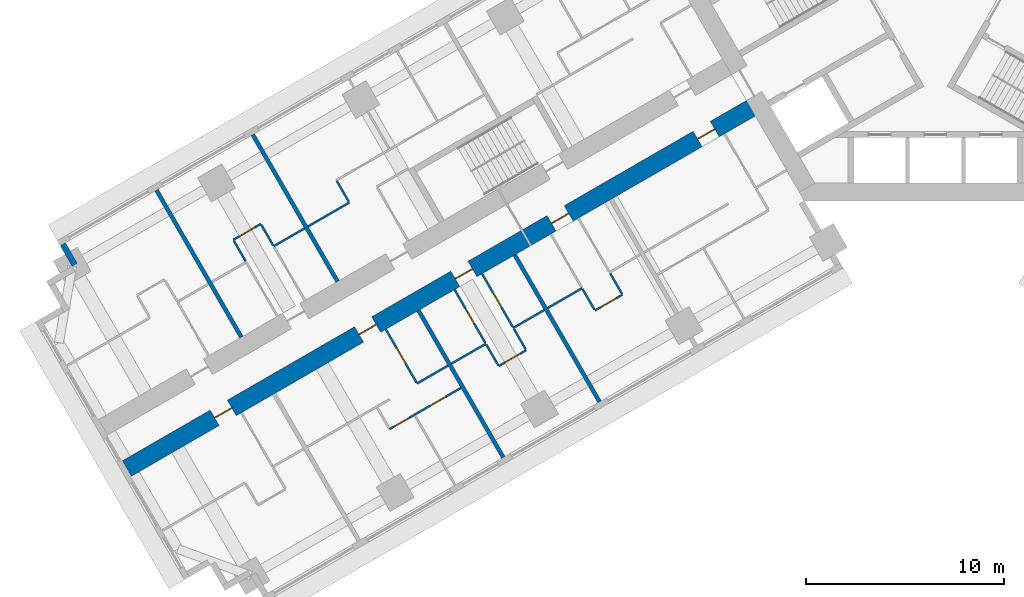
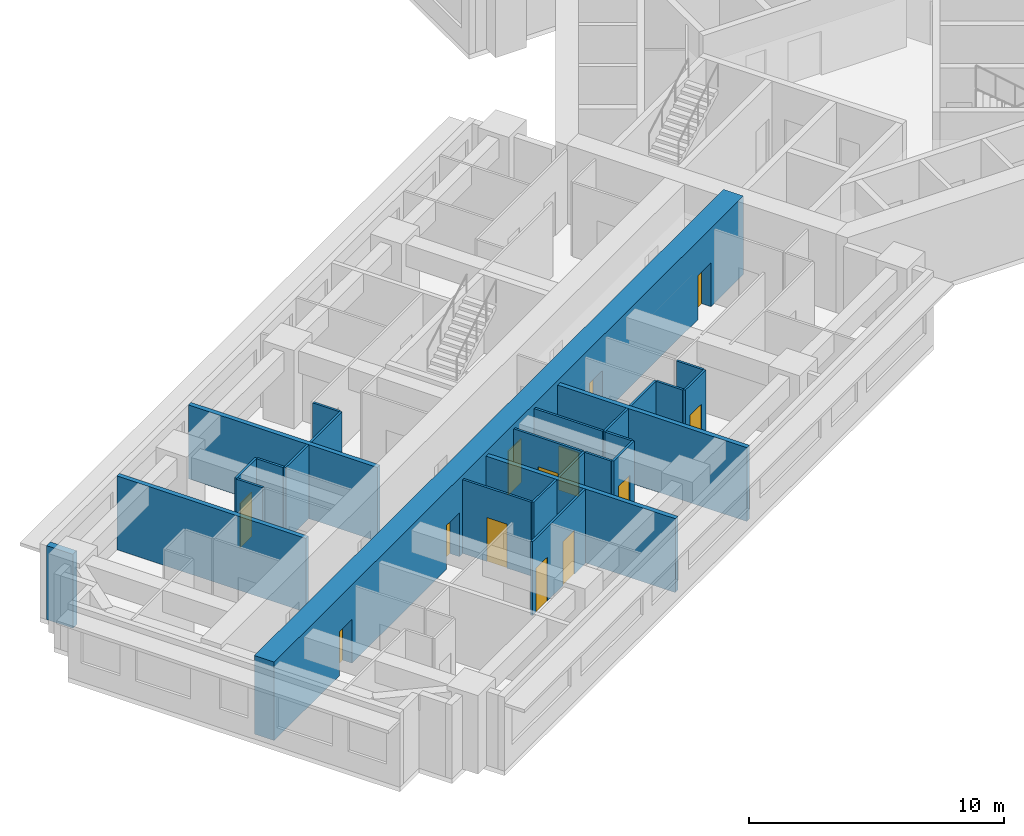
# One storey, part 4 of 16: 26 walls, 13 doors, 13 openings.
"""IFC4 building model written with IfcOpenShell, lengths in metres."""

from ifc_helpers import new_model, si_unit, direction, frame, frame_2d, origin, place, context, subcontext, project, spatial, rectangle, extrude, material, layer, layer_set, type_object, element, fill, save


model = new_model("IFC4")

# Units and contexts
model_context = context("Model", 3, precision=1e-05, world=origin(), true_north=direction((0.0, 1.0)))
body_context = subcontext(model_context, "Body", "Model", "MODEL_VIEW")
ifc_project = project(units=[si_unit("LENGTHUNIT", "METRE"), si_unit("AREAUNIT", "SQUARE_METRE"), si_unit("VOLUMEUNIT", "CUBIC_METRE"), si_unit("PLANEANGLEUNIT", "RADIAN"), si_unit("MASSUNIT", "GRAM", prefix="KILO")], contexts=[model_context])

# Site, building, storey
site_placement = place(None, origin())
site = spatial("IfcSite", under=ifc_project, at=site_placement, CompositionType="ELEMENT")
building_placement = place(site_placement, origin())
building = spatial("IfcBuilding", under=site, at=building_placement, Name="Impinga Residences", CompositionType="ELEMENT")
storey_placement = place(building_placement, frame((0.0, 0.0, 67.25)))
storey = spatial("IfcBuildingStorey", under=building, at=storey_placement, Name="L16", CompositionType="ELEMENT", Elevation=67.25)

# Wall, openings, doors
ifc_material_1 = material(Name="Concrete C70/85", Category="concrete")
ifc_layer_1 = layer(ifc_material_1, 0.89990234375)
ifc_layer_set_1 = layer_set([ifc_layer_1], Name="Concrete C70/85")
wall_type_1 = type_object("IfcWallType", Name="BW1 corridor buttress wall, L05 to L22 900", PredefinedType="SHEAR", material=ifc_layer_set_1)
wall_1_placement = place(storey_placement, frame((-8.910400390625, -6.530029296875, 0.0), z_axis=(0.0, 0.0, 1.0), x_axis=(-0.866025284237, -0.500000207062, 0.0)))
wall_1 = element("IfcWall", 1, at=wall_1_placement, inside=storey, type_object=wall_type_1, Name="Corridor wall BW1 WC L16", PredefinedType="SHEAR", context=body_context, shape_type="SweptSolid", body=[
    extrude(rectangle(XDim=36.75, YDim=0.89990234375, at=frame_2d((18.375, 0.0))), origin(), (0.0, 0.0, 1.0), 3.75),
])
opening_1_placement = place(wall_1_placement, frame((2.550048828125, 0.0, 0.0)))
opening_1 = element("IfcOpeningElement", 2, at=opening_1_placement, cuts=wall_1, Name="Opening D1", PredefinedType="OPENING", context=body_context, shape_type="SweptSolid", body=[
    extrude(rectangle(XDim=1.0, YDim=2.10009765625, at=frame_2d((0.5, 1.050048828125))), frame((0.0, 0.4599609375, 0.0), z_axis=(0.0, -1.0, 0.0), x_axis=(1.0, 0.0, 0.0)), (0.0, 0.0, 1.0), 0.919921875),
])
opening_2_placement = place(wall_1_placement, frame((11.050048828125, 0.0, 0.0)))
opening_2 = element("IfcOpeningElement", 3, at=opening_2_placement, cuts=wall_1, Name="Opening D1", PredefinedType="OPENING", context=body_context, shape_type="SweptSolid", body=[
    extrude(rectangle(XDim=1.0, YDim=2.10009765625, at=frame_2d((0.5, 1.050048828125))), frame((0.0, 0.4599609375, 0.0), z_axis=(0.0, -1.0, 0.0), x_axis=(1.0, 0.0, 0.0)), (0.0, 0.0, 1.0), 0.919921875),
])
opening_3_placement = place(wall_1_placement, frame((16.64990234375, 0.0, 0.0)))
opening_3 = element("IfcOpeningElement", 4, at=opening_3_placement, cuts=wall_1, Name="Opening D1", PredefinedType="OPENING", context=body_context, shape_type="SweptSolid", body=[
    extrude(rectangle(XDim=1.0, YDim=2.10009765625, at=frame_2d((0.5, 1.050048828125))), frame((0.0, 0.4599609375, 0.0), z_axis=(0.0, -1.0, 0.0), x_axis=(1.0, 0.0, 0.0)), (0.0, 0.0, 1.0), 0.919921875),
])
opening_4_placement = place(wall_1_placement, frame((22.25, 0.0, 0.0)))
opening_4 = element("IfcOpeningElement", 5, at=opening_4_placement, cuts=wall_1, Name="Opening D1", PredefinedType="OPENING", context=body_context, shape_type="SweptSolid", body=[
    extrude(rectangle(XDim=1.0, YDim=2.10009765625, at=frame_2d((0.5, 1.050048828125))), frame((0.0, 0.4599609375, 0.0), z_axis=(0.0, -1.0, 0.0), x_axis=(1.0, 0.0, 0.0)), (0.0, 0.0, 1.0), 0.919921875),
])
opening_5_placement = place(wall_1_placement, frame((30.64990234375, 0.0, 0.0)))
opening_5 = element("IfcOpeningElement", 6, at=opening_5_placement, cuts=wall_1, Name="Opening D1", PredefinedType="OPENING", context=body_context, shape_type="SweptSolid", body=[
    extrude(rectangle(XDim=1.0, YDim=2.10009765625, at=frame_2d((0.5, 1.050048828125))), frame((0.0, 0.4599609375, 0.0), z_axis=(0.0, -1.0, 0.0), x_axis=(1.0, 0.0, 0.0)), (0.0, 0.0, 1.0), 0.919921875),
])
ifc_material_2 = material(Name="Timber door set", Category="wood")
door_type_1 = type_object("IfcDoorType", Name="D1 apartment entrance door 1000x2100", OperationType="SINGLE_SWING_LEFT", PredefinedType="DOOR", material=ifc_material_2)
door_1_placement = place(opening_1_placement, origin())
door_1 = element("IfcDoor", 7, at=door_1_placement, inside=storey, type_object=door_type_1, Name="Apartment L16-WA1 entrance", OperationType="SINGLE_SWING_LEFT", OverallHeight=2.10009765625, OverallWidth=1.0, PredefinedType="DOOR", context=body_context, shape_type="SweptSolid", body=[
    extrude(rectangle(XDim=1.0, YDim=2.10009765625, at=frame_2d((0.5, 1.050048828125))), frame((0.0, 0.02490234375, 0.0), z_axis=(0.0, -1.0, 0.0), x_axis=(1.0, 0.0, 0.0)), (0.0, 0.0, 1.0), 0.050048828125),
])
fill(opening_1, door_1)
door_2_placement = place(opening_2_placement, origin())
door_2 = element("IfcDoor", 8, at=door_2_placement, inside=storey, type_object=door_type_1, Name="Apartment L16-WA2 entrance", OperationType="SINGLE_SWING_LEFT", OverallHeight=2.10009765625, OverallWidth=1.0, PredefinedType="DOOR", context=body_context, shape_type="SweptSolid", body=[
    extrude(rectangle(XDim=1.0, YDim=2.10009765625, at=frame_2d((0.5, 1.050048828125))), frame((0.0, 0.02490234375, 0.0), z_axis=(0.0, -1.0, 0.0), x_axis=(1.0, 0.0, 0.0)), (0.0, 0.0, 1.0), 0.050048828125),
])
fill(opening_2, door_2)
door_3_placement = place(opening_3_placement, origin())
door_3 = element("IfcDoor", 9, at=door_3_placement, inside=storey, type_object=door_type_1, Name="Apartment L16-WA3 entrance", OperationType="SINGLE_SWING_LEFT", OverallHeight=2.10009765625, OverallWidth=1.0, PredefinedType="DOOR", context=body_context, shape_type="SweptSolid", body=[
    extrude(rectangle(XDim=1.0, YDim=2.10009765625, at=frame_2d((0.5, 1.050048828125))), frame((0.0, 0.02490234375, 0.0), z_axis=(0.0, -1.0, 0.0), x_axis=(1.0, 0.0, 0.0)), (0.0, 0.0, 1.0), 0.050048828125),
])
fill(opening_3, door_3)
door_4_placement = place(opening_4_placement, origin())
door_4 = element("IfcDoor", 10, at=door_4_placement, inside=storey, type_object=door_type_1, Name="Apartment L16-WA4 entrance", OperationType="SINGLE_SWING_RIGHT", OverallHeight=2.10009765625, OverallWidth=1.0, PredefinedType="DOOR", context=body_context, shape_type="SweptSolid", body=[
    extrude(rectangle(XDim=1.0, YDim=2.10009765625, at=frame_2d((0.5, 1.050048828125))), frame((0.0, 0.02490234375, 0.0), z_axis=(0.0, -1.0, 0.0), x_axis=(1.0, 0.0, 0.0)), (0.0, 0.0, 1.0), 0.050048828125),
])
fill(opening_4, door_4)
door_5_placement = place(opening_5_placement, origin())
door_5 = element("IfcDoor", 11, at=door_5_placement, inside=storey, type_object=door_type_1, Name="Apartment L16-WA5 entrance", OperationType="SINGLE_SWING_RIGHT", OverallHeight=2.10009765625, OverallWidth=1.0, PredefinedType="DOOR", context=body_context, shape_type="SweptSolid", body=[
    extrude(rectangle(XDim=1.0, YDim=2.10009765625, at=frame_2d((0.5, 1.050048828125))), frame((0.0, 0.02490234375, 0.0), z_axis=(0.0, -1.0, 0.0), x_axis=(1.0, 0.0, 0.0)), (0.0, 0.0, 1.0), 0.050048828125),
])
fill(opening_5, door_5)

# Walls
ifc_material_3 = material(Name="Terracotta rainscreen on blockwork", Category="masonry")
ifc_layer_2 = layer(ifc_material_3, 0.300048828125)
ifc_layer_set_2 = layer_set([ifc_layer_2], Name="EW1 external wall, terracotta rainscreen on blockwork 300")
wall_type_2 = type_object("IfcWallType", Name="EW1 external wall, terracotta rainscreen on blockwork 300", PredefinedType="SOLIDWALL", material=ifc_layer_set_2)
wall_2_placement = place(storey_placement, frame((-43.37109375, -14.64208984375, 0.0), z_axis=(0.0, 0.0, 1.0), x_axis=(-0.500029051137, 0.866008630453, 0.0)))
element("IfcWall", 12, at=wall_2_placement, inside=storey, type_object=wall_type_2, Name="External wall EW1 L16", PredefinedType="SOLIDWALL", context=body_context, shape_type="SweptSolid", body=[
    extrude(rectangle(XDim=1.19482421875, YDim=0.300048828125, at=frame_2d((0.597412109375, 0.0))), origin(), (0.0, 0.0, 1.0), 3.530029296875),
])
ifc_material_4 = material(Name="Gypsum board on steel studs", Category="steel")
ifc_layer_3 = layer(ifc_material_4, 0.10009765625)
ifc_layer_set_3 = layer_set([ifc_layer_3], Name="Gypsum board on steel studs")
wall_type_3 = type_object("IfcWallType", Name="IP1 partition 100", PredefinedType="PARTITIONING", material=ifc_layer_set_3)
wall_3_placement = place(storey_placement, frame((-17.8056640625, -15.82275390625, 0.0), z_axis=(0.0, 0.0, 1.0), x_axis=(-0.866041268327, -0.499972520799, 0.0)))
element("IfcWall", 13, at=wall_3_placement, inside=storey, type_object=wall_type_3, Name="Partition L16-WA2:DIV1", PredefinedType="PARTITIONING", context=body_context, shape_type="SweptSolid", body=[
    extrude(rectangle(XDim=2.0, YDim=0.10009765625, at=frame_2d((1.0, 0.0))), origin(), (0.0, 0.0, 1.0), 3.530029296875),
])

# Wall, opening, door
wall_4_placement = place(storey_placement, frame((-15.77001953125, -16.1484375, 0.0), z_axis=(0.0, 0.0, 1.0), x_axis=(-0.866028054938, -0.499995408039, 0.0)))
wall_4 = element("IfcWall", 14, at=wall_4_placement, inside=storey, type_object=wall_type_3, Name="Partition L16-WA2:STRIP", PredefinedType="PARTITIONING", context=body_context, shape_type="SweptSolid", body=[
    extrude(rectangle(XDim=1.60009765625, YDim=0.10009765625, at=frame_2d((0.800048828125, 0.0))), origin(), (0.0, 0.0, 1.0), 3.530029296875),
])
opening_6_placement = place(wall_4_placement, frame((0.35009765625, 0.0, 0.0)))
opening_6 = element("IfcOpeningElement", 15, at=opening_6_placement, cuts=wall_4, Name="Opening D2", PredefinedType="OPENING", context=body_context, shape_type="SweptSolid", body=[
    extrude(rectangle(XDim=0.89990234375, YDim=2.10009765625, at=frame_2d((0.449951171875, 1.050048828125))), frame((0.0, 0.06005859375, 0.0), z_axis=(0.0, -1.0, 0.0), x_axis=(1.0, 0.0, 0.0)), (0.0, 0.0, 1.0), 0.1201171875),
])
door_type_2 = type_object("IfcDoorType", Name="D2 internal door 900x2100", OperationType="SINGLE_SWING_LEFT", PredefinedType="DOOR", material=ifc_material_2)
door_6_placement = place(opening_6_placement, origin())
door_6 = element("IfcDoor", 16, at=door_6_placement, inside=storey, type_object=door_type_2, Name="Apartment L16-WA2 room door", OperationType="SINGLE_SWING_LEFT", OverallHeight=2.10009765625, OverallWidth=0.89990234375, PredefinedType="DOOR", context=body_context, shape_type="SweptSolid", body=[
    extrude(rectangle(XDim=0.89990234375, YDim=2.10009765625, at=frame_2d((0.449951171875, 1.050048828125))), frame((0.0, 0.02490234375, 0.0), z_axis=(0.0, -1.0, 0.0), x_axis=(1.0, 0.0, 0.0)), (0.0, 0.0, 1.0), 0.050048828125),
])
fill(opening_6, door_6)

# Walls
wall_5_placement = place(storey_placement, frame((-16.39501953125, -15.06591796875, 0.0), z_axis=(0.0, 0.0, 1.0), x_axis=(0.499880961361, -0.866094119867, 0.0)))
element("IfcWall", 17, at=wall_5_placement, inside=storey, type_object=wall_type_3, Name="Partition L16-WA2:SE0", PredefinedType="PARTITIONING", context=body_context, shape_type="SweptSolid", body=[
    extrude(rectangle(XDim=1.199951171875, YDim=0.10009765625, at=frame_2d((0.60009765625, 0.0))), origin(), (0.0, 0.0, 1.0), 3.530029296875),
])
wall_6_placement = place(storey_placement, frame((-17.78076171875, -15.865966796875, 0.0), z_axis=(0.0, 0.0, 1.0), x_axis=(0.500033551112, -0.866006032174, 0.0)))
element("IfcWall", 18, at=wall_6_placement, inside=storey, type_object=wall_type_3, Name="Partition L16-WA2:SE1", PredefinedType="PARTITIONING", context=body_context, shape_type="SweptSolid", body=[
    extrude(rectangle(XDim=1.2001953125, YDim=0.10009765625, at=frame_2d((0.60009765625, 0.0))), origin(), (0.0, 0.0, 1.0), 3.530029296875),
])
wall_7_placement = place(storey_placement, frame((-19.7109375, -16.922607421875, 0.0), z_axis=(0.0, 0.0, 1.0), x_axis=(-0.865989075817, -0.500062916607, 0.0)))
element("IfcWall", 19, at=wall_7_placement, inside=storey, type_object=wall_type_3, Name="Partition L16-WA3:DIV0", PredefinedType="PARTITIONING", context=body_context, shape_type="SweptSolid", body=[
    extrude(rectangle(XDim=1.800048828125, YDim=0.10009765625, at=frame_2d((0.89990234375, 0.0))), origin(), (0.0, 0.0, 1.0), 3.530029296875),
])
wall_8_placement = place(storey_placement, frame((-22.655517578125, -18.622802734375, 0.0), z_axis=(0.0, 0.0, 1.0), x_axis=(-0.866010750942, -0.50002537861, 0.0)))
element("IfcWall", 20, at=wall_8_placement, inside=storey, type_object=wall_type_3, Name="Partition L16-WA3:DIV1", PredefinedType="PARTITIONING", context=body_context, shape_type="SweptSolid", body=[
    extrude(rectangle(XDim=2.0, YDim=0.10009765625, at=frame_2d((1.0, 0.0))), origin(), (0.0, 0.0, 1.0), 3.530029296875),
])

# Wall, opening, door
wall_9_placement = place(storey_placement, frame((-20.619873046875, -18.948486328125, 0.0), z_axis=(0.0, 0.0, 1.0), x_axis=(-0.865989903783, -0.500061482766, 0.0)))
wall_9 = element("IfcWall", 21, at=wall_9_placement, inside=storey, type_object=wall_type_3, Name="Partition L16-WA3:STRIP", PredefinedType="PARTITIONING", context=body_context, shape_type="SweptSolid", body=[
    extrude(rectangle(XDim=1.599853515625, YDim=0.10009765625, at=frame_2d((0.7998046875, 0.0))), origin(), (0.0, 0.0, 1.0), 3.530029296875),
])
opening_7_placement = place(wall_9_placement, frame((0.35009765625, 0.0, 0.0)))
opening_7 = element("IfcOpeningElement", 22, at=opening_7_placement, cuts=wall_9, Name="Opening D2", PredefinedType="OPENING", context=body_context, shape_type="SweptSolid", body=[
    extrude(rectangle(XDim=0.89990234375, YDim=2.10009765625, at=frame_2d((0.449951171875, 1.050048828125))), frame((0.0, 0.06005859375, 0.0), z_axis=(0.0, -1.0, 0.0), x_axis=(1.0, 0.0, 0.0)), (0.0, 0.0, 1.0), 0.1201171875),
])
door_7_placement = place(opening_7_placement, origin())
door_7 = element("IfcDoor", 23, at=door_7_placement, inside=storey, type_object=door_type_2, Name="Apartment L16-WA3 room door", OperationType="SINGLE_SWING_LEFT", OverallHeight=2.10009765625, OverallWidth=0.89990234375, PredefinedType="DOOR", context=body_context, shape_type="SweptSolid", body=[
    extrude(rectangle(XDim=0.89990234375, YDim=2.10009765625, at=frame_2d((0.449951171875, 1.050048828125))), frame((0.0, 0.02490234375, 0.0), z_axis=(0.0, -1.0, 0.0), x_axis=(1.0, 0.0, 0.0)), (0.0, 0.0, 1.0), 0.050048828125),
])
fill(opening_7, door_7)

# Walls
wall_10_placement = place(storey_placement, frame((-21.244873046875, -17.865966796875, 0.0), z_axis=(0.0, 0.0, 1.0), x_axis=(0.500033551112, -0.866006032174, 0.0)))
element("IfcWall", 24, at=wall_10_placement, inside=storey, type_object=wall_type_3, Name="Partition L16-WA3:SE0", PredefinedType="PARTITIONING", context=body_context, shape_type="SweptSolid", body=[
    extrude(rectangle(XDim=1.2001953125, YDim=0.10009765625, at=frame_2d((0.60009765625, 0.0))), origin(), (0.0, 0.0, 1.0), 3.530029296875),
])
wall_11_placement = place(storey_placement, frame((-22.63037109375, -18.666015625, 0.0), z_axis=(0.0, 0.0, 1.0), x_axis=(0.499880961361, -0.866094119867, 0.0)))
element("IfcWall", 25, at=wall_11_placement, inside=storey, type_object=wall_type_3, Name="Partition L16-WA3:SE1", PredefinedType="PARTITIONING", context=body_context, shape_type="SweptSolid", body=[
    extrude(rectangle(XDim=1.199951171875, YDim=0.10009765625, at=frame_2d((0.60009765625, 0.0))), origin(), (0.0, 0.0, 1.0), 3.530029296875),
])

# Wall, opening, door
wall_12_placement = place(storey_placement, frame((-22.8447265625, -15.0947265625, 0.0), z_axis=(0.0, 0.0, 1.0), x_axis=(0.499967891604, -0.866043940782, 0.0)))
wall_12 = element("IfcWall", 26, at=wall_12_placement, inside=storey, type_object=wall_type_3, Name="Partition L16-WA3:IB1", PredefinedType="PARTITIONING", context=body_context, shape_type="SweptSolid", body=[
    extrude(rectangle(XDim=3.099853515625, YDim=0.10009765625, at=frame_2d((1.5498046875, 0.0))), origin(), (0.0, 0.0, 1.0), 3.530029296875),
])
opening_8_placement = place(wall_12_placement, frame((1.10009765625, 0.0, 0.0)))
opening_8 = element("IfcOpeningElement", 27, at=opening_8_placement, cuts=wall_12, Name="Opening D2", PredefinedType="OPENING", context=body_context, shape_type="SweptSolid", body=[
    extrude(rectangle(XDim=0.89990234375, YDim=2.10009765625, at=frame_2d((0.449951171875, 1.050048828125))), frame((0.0, 0.06005859375, 0.0), z_axis=(0.0, -1.0, 0.0), x_axis=(1.0, 0.0, 0.0)), (0.0, 0.0, 1.0), 0.1201171875),
])
door_8_placement = place(opening_8_placement, origin())
door_8 = element("IfcDoor", 28, at=door_8_placement, inside=storey, type_object=door_type_2, Name="Apartment L16-WA3 bathroom door", OperationType="SINGLE_SWING_LEFT", OverallHeight=2.10009765625, OverallWidth=0.89990234375, PredefinedType="DOOR", context=body_context, shape_type="SweptSolid", body=[
    extrude(rectangle(XDim=0.89990234375, YDim=2.10009765625, at=frame_2d((0.449951171875, 1.050048828125))), frame((0.0, 0.02490234375, 0.0), z_axis=(0.0, -1.0, 0.0), x_axis=(1.0, 0.0, 0.0)), (0.0, 0.0, 1.0), 0.050048828125),
])
fill(opening_8, door_8)

wall_13_placement = place(storey_placement, frame((-24.23046875, -15.894775390625, 0.0), z_axis=(0.0, 0.0, 1.0), x_axis=(0.500026960575, -0.86600983753, 0.0)))
wall_13 = element("IfcWall", 29, at=wall_13_placement, inside=storey, type_object=wall_type_3, Name="Partition L16-WA3:IB2", PredefinedType="PARTITIONING", context=body_context, shape_type="SweptSolid", body=[
    extrude(rectangle(XDim=3.099853515625, YDim=0.10009765625, at=frame_2d((1.5498046875, 0.0))), origin(), (0.0, 0.0, 1.0), 3.530029296875),
])
opening_9_placement = place(wall_13_placement, frame((1.10009765625, 0.0, 0.0)))
opening_9 = element("IfcOpeningElement", 30, at=opening_9_placement, cuts=wall_13, Name="Opening D2", PredefinedType="OPENING", context=body_context, shape_type="SweptSolid", body=[
    extrude(rectangle(XDim=0.89990234375, YDim=2.10009765625, at=frame_2d((0.449951171875, 1.050048828125))), frame((0.0, 0.06005859375, 0.0), z_axis=(0.0, -1.0, 0.0), x_axis=(1.0, 0.0, 0.0)), (0.0, 0.0, 1.0), 0.1201171875),
])
door_9_placement = place(opening_9_placement, origin())
door_9 = element("IfcDoor", 31, at=door_9_placement, inside=storey, type_object=door_type_2, Name="Apartment L16-WA3 WC door", OperationType="SINGLE_SWING_LEFT", OverallHeight=2.10009765625, OverallWidth=0.89990234375, PredefinedType="DOOR", context=body_context, shape_type="SweptSolid", body=[
    extrude(rectangle(XDim=0.89990234375, YDim=2.10009765625, at=frame_2d((0.449951171875, 1.050048828125))), frame((0.0, 0.02490234375, 0.0), z_axis=(0.0, -1.0, 0.0), x_axis=(1.0, 0.0, 0.0)), (0.0, 0.0, 1.0), 0.050048828125),
])
fill(opening_9, door_9)

# Wall
wall_14_placement = place(storey_placement, frame((-24.560791015625, -19.72265625, 0.0), z_axis=(0.0, 0.0, 1.0), x_axis=(-0.865989075817, -0.500062916607, 0.0)))
element("IfcWall", 32, at=wall_14_placement, inside=storey, type_object=wall_type_3, Name="Partition L16-WA4:DIV0", PredefinedType="PARTITIONING", context=body_context, shape_type="SweptSolid", body=[
    extrude(rectangle(XDim=1.800048828125, YDim=0.10009765625, at=frame_2d((0.89990234375, 0.0))), origin(), (0.0, 0.0, 1.0), 3.530029296875),
])

# Wall, openings, doors
wall_15_placement = place(storey_placement, frame((-23.91064453125, -20.8486328125, 0.0), z_axis=(0.0, 0.0, 1.0), x_axis=(-0.86602981871, -0.499992353047, 0.0)))
wall_15 = element("IfcWall", 33, at=wall_15_placement, inside=storey, type_object=wall_type_3, Name="Partition L16-WA4:STRIP", PredefinedType="PARTITIONING", context=body_context, shape_type="SweptSolid", body=[
    extrude(rectangle(XDim=4.14990234375, YDim=0.10009765625, at=frame_2d((2.074951171875, 0.0))), origin(), (0.0, 0.0, 1.0), 3.530029296875),
])
opening_10_placement = place(wall_15_placement, frame((0.875, 0.0, 0.0)))
opening_10 = element("IfcOpeningElement", 34, at=opening_10_placement, cuts=wall_15, Name="Opening D2", PredefinedType="OPENING", context=body_context, shape_type="SweptSolid", body=[
    extrude(rectangle(XDim=0.89990234375, YDim=2.10009765625, at=frame_2d((0.449951171875, 1.050048828125))), frame((0.0, 0.06005859375, 0.0), z_axis=(0.0, -1.0, 0.0), x_axis=(1.0, 0.0, 0.0)), (0.0, 0.0, 1.0), 0.1201171875),
])
opening_11_placement = place(wall_15_placement, frame((3.0, 0.0, 0.0)))
opening_11 = element("IfcOpeningElement", 35, at=opening_11_placement, cuts=wall_15, Name="Opening D2", PredefinedType="OPENING", context=body_context, shape_type="SweptSolid", body=[
    extrude(rectangle(XDim=0.89990234375, YDim=2.10009765625, at=frame_2d((0.449951171875, 1.050048828125))), frame((0.0, 0.06005859375, 0.0), z_axis=(0.0, -1.0, 0.0), x_axis=(1.0, 0.0, 0.0)), (0.0, 0.0, 1.0), 0.1201171875),
])
door_10_placement = place(opening_10_placement, origin())
door_10 = element("IfcDoor", 36, at=door_10_placement, inside=storey, type_object=door_type_2, Name="Apartment L16-WA4 room door", OperationType="SINGLE_SWING_LEFT", OverallHeight=2.10009765625, OverallWidth=0.89990234375, PredefinedType="DOOR", context=body_context, shape_type="SweptSolid", body=[
    extrude(rectangle(XDim=0.89990234375, YDim=2.10009765625, at=frame_2d((0.449951171875, 1.050048828125))), frame((0.0, 0.02490234375, 0.0), z_axis=(0.0, -1.0, 0.0), x_axis=(1.0, 0.0, 0.0)), (0.0, 0.0, 1.0), 0.050048828125),
])
fill(opening_10, door_10)
door_11_placement = place(opening_11_placement, origin())
door_11 = element("IfcDoor", 37, at=door_11_placement, inside=storey, type_object=door_type_2, Name="Apartment L16-WA4 room door", OperationType="SINGLE_SWING_RIGHT", OverallHeight=2.10009765625, OverallWidth=0.89990234375, PredefinedType="DOOR", context=body_context, shape_type="SweptSolid", body=[
    extrude(rectangle(XDim=0.89990234375, YDim=2.10009765625, at=frame_2d((0.449951171875, 1.050048828125))), frame((0.0, 0.02490234375, 0.0), z_axis=(0.0, -1.0, 0.0), x_axis=(1.0, 0.0, 0.0)), (0.0, 0.0, 1.0), 0.050048828125),
])
fill(opening_11, door_11)

# Wall, opening, door
wall_16_placement = place(storey_placement, frame((-27.694580078125, -17.894775390625, 0.0), z_axis=(0.0, 0.0, 1.0), x_axis=(0.500026960575, -0.86600983753, 0.0)))
wall_16 = element("IfcWall", 38, at=wall_16_placement, inside=storey, type_object=wall_type_3, Name="Partition L16-WA4:IB1", PredefinedType="PARTITIONING", context=body_context, shape_type="SweptSolid", body=[
    extrude(rectangle(XDim=3.099853515625, YDim=0.10009765625, at=frame_2d((1.5498046875, 0.0))), origin(), (0.0, 0.0, 1.0), 3.530029296875),
])
opening_12_placement = place(wall_16_placement, frame((1.10009765625, 0.0, 0.0)))
opening_12 = element("IfcOpeningElement", 39, at=opening_12_placement, cuts=wall_16, Name="Opening D2", PredefinedType="OPENING", context=body_context, shape_type="SweptSolid", body=[
    extrude(rectangle(XDim=0.89990234375, YDim=2.10009765625, at=frame_2d((0.449951171875, 1.050048828125))), frame((0.0, 0.06005859375, 0.0), z_axis=(0.0, -1.0, 0.0), x_axis=(1.0, 0.0, 0.0)), (0.0, 0.0, 1.0), 0.1201171875),
])
door_12_placement = place(opening_12_placement, origin())
door_12 = element("IfcDoor", 40, at=door_12_placement, inside=storey, type_object=door_type_2, Name="Apartment L16-WA4 bathroom door", OperationType="SINGLE_SWING_LEFT", OverallHeight=2.10009765625, OverallWidth=0.89990234375, PredefinedType="DOOR", context=body_context, shape_type="SweptSolid", body=[
    extrude(rectangle(XDim=0.89990234375, YDim=2.10009765625, at=frame_2d((0.449951171875, 1.050048828125))), frame((0.0, 0.02490234375, 0.0), z_axis=(0.0, -1.0, 0.0), x_axis=(1.0, 0.0, 0.0)), (0.0, 0.0, 1.0), 0.050048828125),
])
fill(opening_12, door_12)

# Walls
wall_17_placement = place(storey_placement, frame((-29.533935546875, -11.5087890625, 0.0), z_axis=(0.0, 0.0, 1.0), x_axis=(-0.866024647952, -0.500001309137, 0.0)))
element("IfcWall", 41, at=wall_17_placement, inside=storey, type_object=wall_type_3, Name="Partition L16-WF2:DIV1", PredefinedType="PARTITIONING", context=body_context, shape_type="SweptSolid", body=[
    extrude(rectangle(XDim=2.39990234375, YDim=0.10009765625, at=frame_2d((1.199951171875, 0.0))), origin(), (0.0, 0.0, 1.0), 3.530029296875),
])
wall_18_placement = place(storey_placement, frame((-29.558837890625, -11.465576171875, 0.0), z_axis=(0.0, 0.0, 1.0), x_axis=(-0.500033551112, 0.866006032174, 0.0)))
element("IfcWall", 42, at=wall_18_placement, inside=storey, type_object=wall_type_3, Name="Partition L16-WF2:SE1", PredefinedType="PARTITIONING", context=body_context, shape_type="SweptSolid", body=[
    extrude(rectangle(XDim=1.2001953125, YDim=0.10009765625, at=frame_2d((0.60009765625, 0.0))), origin(), (0.0, 0.0, 1.0), 3.530029296875),
])
wall_19_placement = place(storey_placement, frame((-31.78564453125, -12.808837890625, 0.0), z_axis=(0.0, 0.0, 1.0), x_axis=(-0.866047807691, -0.499961193289, 0.0)))
element("IfcWall", 43, at=wall_19_placement, inside=storey, type_object=wall_type_3, Name="Partition L16-WF3:DIV0", PredefinedType="PARTITIONING", context=body_context, shape_type="SweptSolid", body=[
    extrude(rectangle(XDim=1.800048828125, YDim=0.10009765625, at=frame_2d((0.89990234375, 0.0))), origin(), (0.0, 0.0, 1.0), 3.530029296875),
])

# Wall, opening, door
wall_20_placement = place(storey_placement, frame((-33.994384765625, -12.5830078125, 0.0), z_axis=(0.0, 0.0, 1.0), x_axis=(-0.866028054938, -0.499995408039, 0.0)))
wall_20 = element("IfcWall", 44, at=wall_20_placement, inside=storey, type_object=wall_type_3, Name="Partition L16-WF3:STRIP", PredefinedType="PARTITIONING", context=body_context, shape_type="SweptSolid", body=[
    extrude(rectangle(XDim=1.60009765625, YDim=0.10009765625, at=frame_2d((0.800048828125, 0.0))), origin(), (0.0, 0.0, 1.0), 3.530029296875),
])
opening_13_placement = place(wall_20_placement, frame((0.35009765625, 0.0, 0.0)))
opening_13 = element("IfcOpeningElement", 45, at=opening_13_placement, cuts=wall_20, Name="Opening D2", PredefinedType="OPENING", context=body_context, shape_type="SweptSolid", body=[
    extrude(rectangle(XDim=0.89990234375, YDim=2.10009765625, at=frame_2d((0.449951171875, 1.050048828125))), frame((0.0, 0.06005859375, 0.0), z_axis=(0.0, -1.0, 0.0), x_axis=(1.0, 0.0, 0.0)), (0.0, 0.0, 1.0), 0.1201171875),
])
door_13_placement = place(opening_13_placement, origin())
door_13 = element("IfcDoor", 46, at=door_13_placement, inside=storey, type_object=door_type_2, Name="Apartment L16-WF3 room door", OperationType="SINGLE_SWING_LEFT", OverallHeight=2.10009765625, OverallWidth=0.89990234375, PredefinedType="DOOR", context=body_context, shape_type="SweptSolid", body=[
    extrude(rectangle(XDim=0.89990234375, YDim=2.10009765625, at=frame_2d((0.449951171875, 1.050048828125))), frame((0.0, 0.02490234375, 0.0), z_axis=(0.0, -1.0, 0.0), x_axis=(1.0, 0.0, 0.0)), (0.0, 0.0, 1.0), 0.050048828125),
])
fill(opening_13, door_13)

# Walls
wall_21_placement = place(storey_placement, frame((-33.369384765625, -13.66552734375, 0.0), z_axis=(0.0, 0.0, 1.0), x_axis=(-0.500033551112, 0.866006032174, 0.0)))
element("IfcWall", 47, at=wall_21_placement, inside=storey, type_object=wall_type_3, Name="Partition L16-WF3:SE0", PredefinedType="PARTITIONING", context=body_context, shape_type="SweptSolid", body=[
    extrude(rectangle(XDim=1.2001953125, YDim=0.10009765625, at=frame_2d((0.60009765625, 0.0))), origin(), (0.0, 0.0, 1.0), 3.530029296875),
])
wall_22_placement = place(storey_placement, frame((-34.755126953125, -14.465576171875, 0.0), z_axis=(0.0, 0.0, 1.0), x_axis=(-0.499880961361, 0.866094119867, 0.0)))
element("IfcWall", 48, at=wall_22_placement, inside=storey, type_object=wall_type_3, Name="Partition L16-WF3:SE1", PredefinedType="PARTITIONING", context=body_context, shape_type="SweptSolid", body=[
    extrude(rectangle(XDim=1.199951171875, YDim=0.10009765625, at=frame_2d((0.60009765625, 0.0))), origin(), (0.0, 0.0, 1.0), 3.530029296875),
])
ifc_material_5 = material(Name="Concrete blockwork", Category="masonry")
ifc_layer_4 = layer(ifc_material_5, 0.199951171875)
ifc_layer_set_4 = layer_set([ifc_layer_4], Name="PW1 party wall between apartments 200")
wall_type_4 = type_object("IfcWallType", Name="PW1 party wall between apartments 200", PredefinedType="SOLIDWALL", material=ifc_layer_set_4)
wall_23_placement = place(storey_placement, frame((-21.199462890625, -14.144775390625, 0.0), z_axis=(0.0, 0.0, 1.0), x_axis=(0.500011643316, -0.866018681408, 0.0)))
element("IfcWall", 49, at=wall_23_placement, inside=storey, type_object=wall_type_4, Name="Party wall between apartments L16-WA2:PARTY", PredefinedType="SOLIDWALL", context=body_context, shape_type="SweptSolid", body=[
    extrude(rectangle(XDim=8.550048828125, YDim=0.199951171875, at=frame_2d((4.27490234375, 0.0))), origin(), (0.0, 0.0, 1.0), 3.530029296875),
])
wall_24_placement = place(storey_placement, frame((-26.049072265625, -16.94482421875, 0.0), z_axis=(0.0, 0.0, 1.0), x_axis=(0.500002592159, -0.866023907196, 0.0)))
element("IfcWall", 50, at=wall_24_placement, inside=storey, type_object=wall_type_4, Name="Party wall between apartments L16-WA3:PARTY", PredefinedType="SOLIDWALL", context=body_context, shape_type="SweptSolid", body=[
    extrude(rectangle(XDim=8.5498046875, YDim=0.199951171875, at=frame_2d((4.27490234375, 0.0))), origin(), (0.0, 0.0, 1.0), 3.530029296875),
])
for number, where, z_axis, x_axis, name in (
    (51, (-30.1240234375, -15.48681640625, 0.0), (0.0, 0.0, 1.0), (-0.499990227581, 0.86603104582, 0.0), "Party wall between apartments L16-WF2:PARTY"),
    (52, (-34.9736328125, -18.286865234375, 0.0), (0.0, 0.0, 1.0), (-0.500011643316, 0.866018681408, 0.0), "Party wall between apartments L16-WF3:PARTY"),
):
    element("IfcWall", number, at=place(storey_placement, frame(where, z_axis=z_axis, x_axis=x_axis)), inside=storey, type_object=wall_type_4, Name=name, PredefinedType="SOLIDWALL", context=body_context, shape_type="SweptSolid", body=[
        extrude(rectangle(XDim=8.550048828125, YDim=0.199951171875, at=frame_2d((4.27490234375, 0.0))), origin(), (0.0, 0.0, 1.0), 3.530029296875),
    ])

save(model, "model.ifc")
